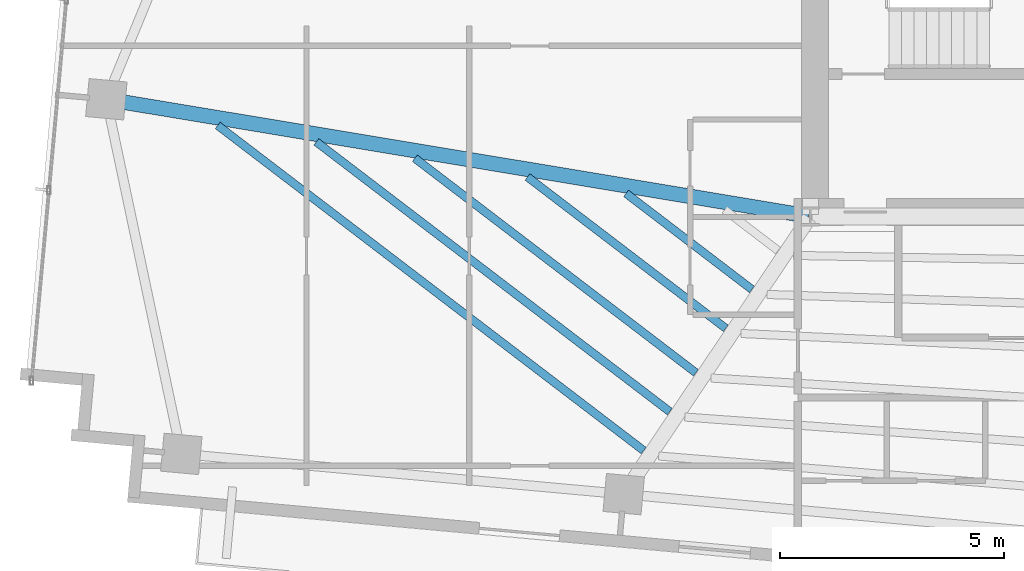
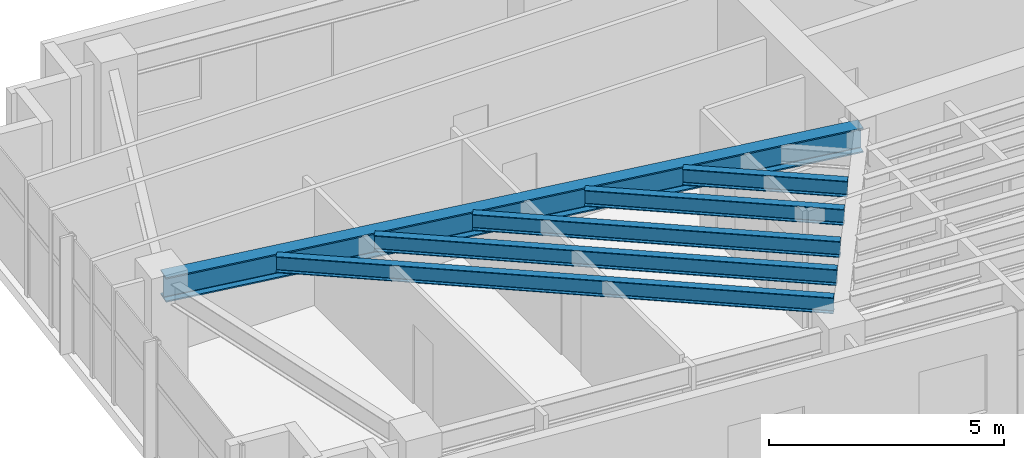
# One storey, part 5 of 22: 6 beams.
"""IFC4 building model written with IfcOpenShell, lengths in metres."""

from ifc_helpers import new_model, si_unit, direction, frame, origin, origin_2d, place, context, subcontext, project, spatial, i_section, extrude, source, transform, mapped, material, material_profile, profile_set, type_object, type_shapes, element, save


model = new_model("IFC4")

# Units and contexts
model_context = context("Model", 3, precision=1e-05, world=origin(), true_north=direction((0.0, 1.0)))
body_context = subcontext(model_context, "Body", "Model", "MODEL_VIEW")
ifc_project = project(units=[si_unit("LENGTHUNIT", "METRE"), si_unit("AREAUNIT", "SQUARE_METRE"), si_unit("VOLUMEUNIT", "CUBIC_METRE"), si_unit("PLANEANGLEUNIT", "RADIAN"), si_unit("MASSUNIT", "GRAM", prefix="KILO")], contexts=[model_context])

# Site, building, storey
site_placement = place(None, origin())
site = spatial("IfcSite", under=ifc_project, at=site_placement, CompositionType="ELEMENT")
building_placement = place(site_placement, origin())
building = spatial("IfcBuilding", under=site, at=building_placement, Name="Astriad Promenade Condominiums", CompositionType="ELEMENT")
storey_placement = place(building_placement, frame((0.0, 0.0, 239.699951171875)))
storey = spatial("IfcBuildingStorey", under=building, at=storey_placement, Name="L69", CompositionType="ELEMENT", Elevation=239.699951171875)

# Beams
ifc_material = material(Name="Steel ASTM A992 Grade 50", Category="steel")
ifc_material_profile_1 = material_profile(ifc_material, i_section(OverallWidth=0.327392578125, OverallDepth=0.640625, WebThickness=0.01904296875, FlangeThickness=0.033935546875, FilletRadius=0.017822265625, at=origin_2d()), Name="W24X176")
ifc_profile_set_1 = profile_set([ifc_material_profile_1], Name="Steel ASTM A992 Grade 50")
beam_type_1 = type_object("IfcBeamType", Name="STEEL FLOOR GIRDER W24X176", PredefinedType="BEAM", material=ifc_profile_set_1)
shared_shape_1 = source(origin(), body_context, "Body", "SweptSolid", [
    extrude(i_section(OverallWidth=0.327392578125, OverallDepth=0.640625, WebThickness=0.01904296875, FlangeThickness=0.033935546875, FilletRadius=0.017822265625, at=origin_2d()), origin(), (0.0, 0.0, 1.0), 15.824462890625),
])
type_shapes(beam_type_1, [shared_shape_1])
beam_1_placement = place(storey_placement, frame((10.750732421875, 20.003662109375, 2.7197265625), z_axis=(0.986439752668, -0.164123777548, 0.0), x_axis=(0.164123777548, 0.986439752668, 0.0)))
element("IfcBeam", 1, at=beam_1_placement, inside=storey, type_object=beam_type_1, Name="Primary Floor Girder PG-WM-L69", PredefinedType="BEAM", context=body_context, shape_type="MappedRepresentation", body=[
    mapped(shared_shape_1, transform((0.0, 0.0, 0.0), scale=1.0)),
])
ifc_material_profile_2 = material_profile(ifc_material, i_section(OverallWidth=0.180908203125, OverallDepth=0.417236328125, WebThickness=0.010986328125, FlangeThickness=0.018310546875, FilletRadius=0.013916015625, at=origin_2d()), Name="W16X57")
ifc_profile_set_2 = profile_set([ifc_material_profile_2], Name="Steel ASTM A992 Grade 50")
beam_type_2 = type_object("IfcBeamType", Name="STEEL FLOOR JOIST W16X57", PredefinedType="JOIST", material=ifc_profile_set_2)
shared_shape_2 = source(origin(), body_context, "Body", "SweptSolid", [
    extrude(i_section(OverallWidth=0.180908203125, OverallDepth=0.417236328125, WebThickness=0.010986328125, FlangeThickness=0.018310546875, FilletRadius=0.013916015625, at=origin_2d()), origin(), (0.0, 0.0, 1.0), 11.941162109375),
])
beam_2_placement = place(storey_placement, frame((13.193603515625, 19.426513671875, 2.83154296875), z_axis=(0.794872876153, -0.606775997182, 0.0), x_axis=(0.606775997182, 0.794872876153, 0.0)))
element("IfcBeam", 2, at=beam_2_placement, inside=storey, type_object=beam_type_2, Name="Secondary Composite Floor Joist JW1-1-L69", PredefinedType="JOIST", context=body_context, shape_type="MappedRepresentation", body=[
    mapped(shared_shape_2, transform((0.0, 0.0, 0.0), scale=1.0)),
])
shared_shape_3 = source(origin(), body_context, "Body", "SweptSolid", [
    extrude(i_section(OverallWidth=0.180908203125, OverallDepth=0.417236328125, WebThickness=0.010986328125, FlangeThickness=0.018310546875, FilletRadius=0.013916015625, at=origin_2d()), origin(), (0.0, 0.0, 1.0), 9.91015625),
])
beam_3_placement = place(storey_placement, frame((15.39013671875, 19.06103515625, 2.83154296875), z_axis=(0.794880580107, -0.606765904916, 0.0), x_axis=(0.606765904916, 0.794880580107, 0.0)))
element("IfcBeam", 3, at=beam_3_placement, inside=storey, type_object=beam_type_2, Name="Secondary Composite Floor Joist JW1-2-L69", PredefinedType="JOIST", context=body_context, shape_type="MappedRepresentation", body=[
    mapped(shared_shape_3, transform((0.0, 0.0, 0.0), scale=1.0)),
])
shared_shape_4 = source(origin(), body_context, "Body", "SweptSolid", [
    extrude(i_section(OverallWidth=0.180908203125, OverallDepth=0.417236328125, WebThickness=0.010986328125, FlangeThickness=0.018310546875, FilletRadius=0.013916015625, at=origin_2d()), origin(), (0.0, 0.0, 1.0), 7.8798828125),
])
beam_4_placement = place(storey_placement, frame((17.58642578125, 18.69580078125, 2.83154296875), z_axis=(0.794873774806, -0.60677481995, 0.0), x_axis=(0.60677481995, 0.794873774806, 0.0)))
element("IfcBeam", 4, at=beam_4_placement, inside=storey, type_object=beam_type_2, Name="Secondary Composite Floor Joist JW1-3-L69", PredefinedType="JOIST", context=body_context, shape_type="MappedRepresentation", body=[
    mapped(shared_shape_4, transform((0.0, 0.0, 0.0), scale=1.0)),
])
shared_shape_5 = source(origin(), body_context, "Body", "SweptSolid", [
    extrude(i_section(OverallWidth=0.180908203125, OverallDepth=0.417236328125, WebThickness=0.010986328125, FlangeThickness=0.018310546875, FilletRadius=0.013916015625, at=origin_2d()), origin(), (0.0, 0.0, 1.0), 5.55908203125),
])
beam_5_placement = place(storey_placement, frame((20.0966796875, 18.278076171875, 2.83154296875), z_axis=(0.794874877878, -0.606773374925, 0.0), x_axis=(0.606773374925, 0.794874877878, 0.0)))
element("IfcBeam", 5, at=beam_5_placement, inside=storey, type_object=beam_type_2, Name="Secondary Composite Floor Joist JW1-4-L69", PredefinedType="JOIST", context=body_context, shape_type="MappedRepresentation", body=[
    mapped(shared_shape_5, transform((0.0, 0.0, 0.0), scale=1.0)),
])
shared_shape_6 = source(origin(), body_context, "Body", "SweptSolid", [
    extrude(i_section(OverallWidth=0.180908203125, OverallDepth=0.417236328125, WebThickness=0.010986328125, FlangeThickness=0.018310546875, FilletRadius=0.013916015625, at=origin_2d()), origin(), (0.0, 0.0, 1.0), 3.5283203125),
])
type_shapes(beam_type_2, [shared_shape_2, shared_shape_3, shared_shape_4, shared_shape_5, shared_shape_6])
beam_6_placement = place(storey_placement, frame((22.293212890625, 17.91259765625, 2.83154296875), z_axis=(0.794864295135, -0.606787238099, 0.0), x_axis=(0.606787238099, 0.794864295135, 0.0)))
element("IfcBeam", 6, at=beam_6_placement, inside=storey, type_object=beam_type_2, Name="Secondary Composite Floor Joist JW1-5-L69", PredefinedType="JOIST", context=body_context, shape_type="MappedRepresentation", body=[
    mapped(shared_shape_6, transform((0.0, 0.0, 0.0), scale=1.0)),
])

save(model, "model.ifc")
